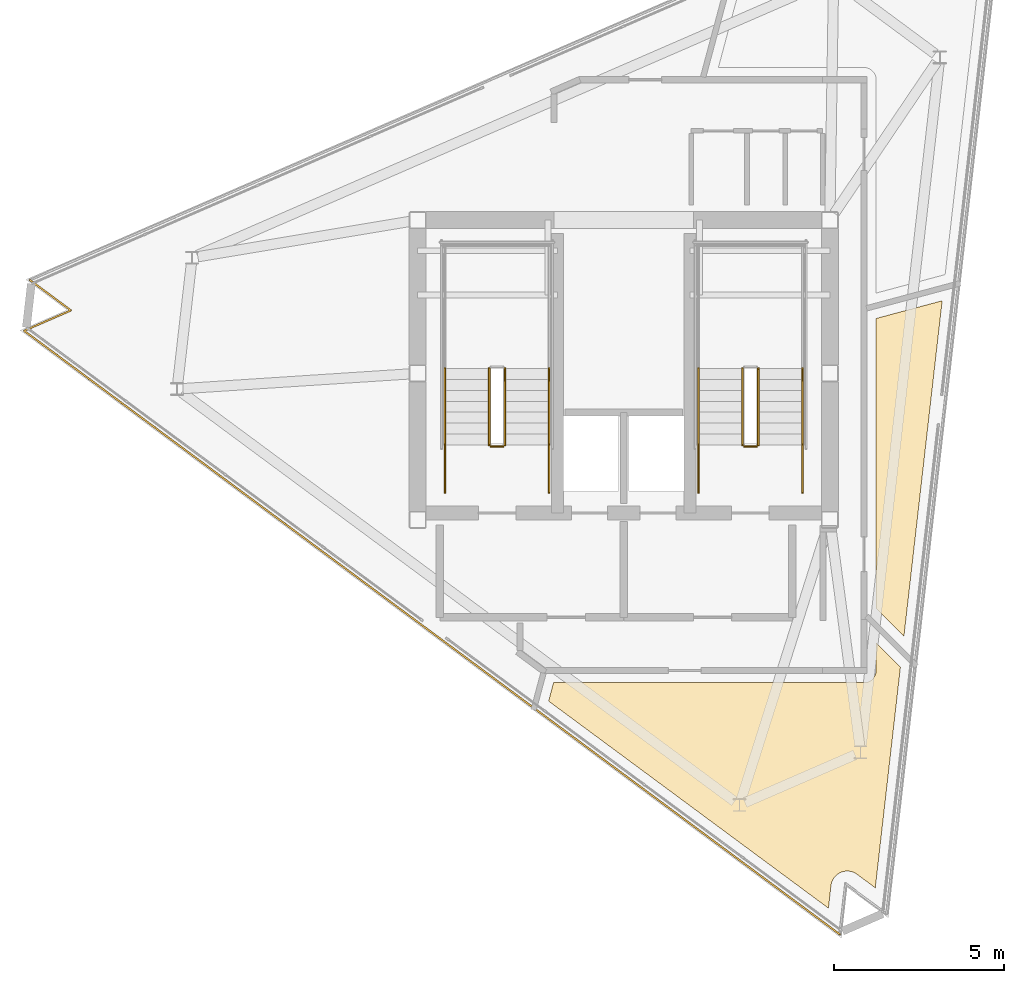
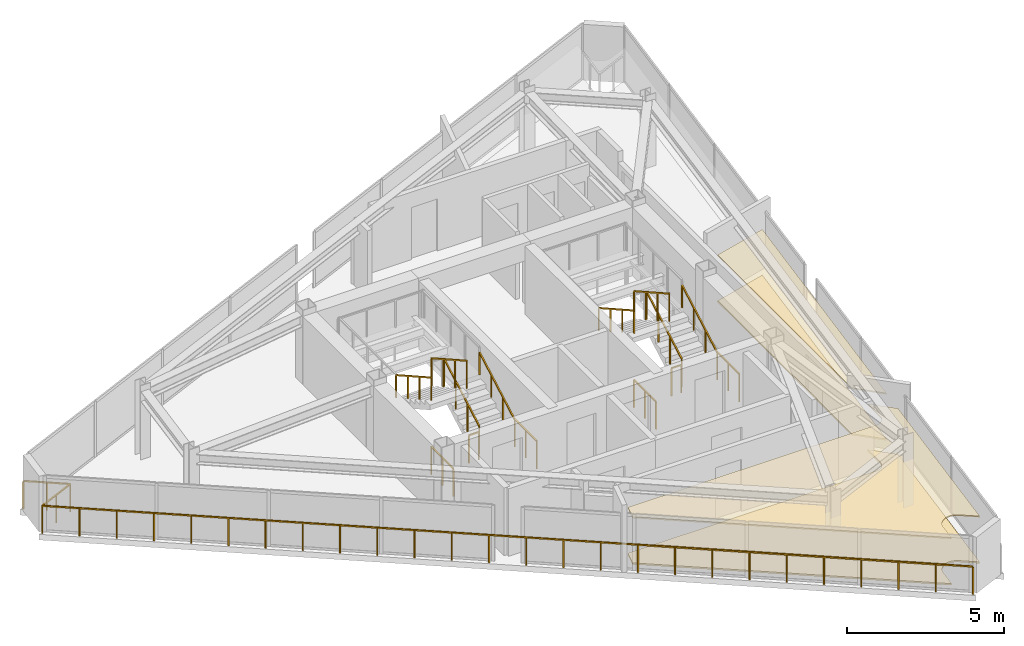
# One storey, part 8 of 9: 15 railings, 4 coverings.
"""IFC4 building model written with IfcOpenShell, lengths in metres."""

from ifc_helpers import new_model, si_unit, direction, frame, origin, origin_2d, place, context, subcontext, project, spatial, polyline, rectangle, outline, extrude, material, layer, layer_set, type_object, element, save


model = new_model("IFC4")

# Units and contexts
model_context = context("Model", 3, precision=1e-05, world=origin(), true_north=direction((0.0, 1.0)))
body_context = subcontext(model_context, "Body", "Model", "MODEL_VIEW")
ifc_project = project(units=[si_unit("LENGTHUNIT", "METRE"), si_unit("AREAUNIT", "SQUARE_METRE"), si_unit("VOLUMEUNIT", "CUBIC_METRE"), si_unit("PLANEANGLEUNIT", "RADIAN"), si_unit("MASSUNIT", "GRAM", prefix="KILO")], contexts=[model_context])

# Site, building, storey
site_placement = place(None, origin())
site = spatial("IfcSite", under=ifc_project, at=site_placement, CompositionType="ELEMENT")
building_placement = place(site_placement, origin())
building = spatial("IfcBuilding", under=site, at=building_placement, Name="Rocaltana Carrier Exchange", CompositionType="ELEMENT")
storey_placement = place(building_placement, frame((0.0, 0.0, 246.239990234375)))
storey = spatial("IfcBuildingStorey", under=building, at=storey_placement, Name="L78", CompositionType="ELEMENT", Elevation=246.239990234375)

# Coverings
ifc_material_1 = material(Name="Calcium Sulphate & Aluminium Pedestal", Category="aluminium")
ifc_layer_1 = layer(ifc_material_1, 0.06005859375)
ifc_layer_set_1 = layer_set([ifc_layer_1], Name="Calcium Sulphate & Aluminium Pedestal")
covering_type_1 = type_object("IfcCoveringType", Name="Anti-Static Raised Exchange Access Floor 60", PredefinedType="FLOORING", material=ifc_layer_set_1)
covering_1_placement = place(storey_placement, origin())
element("IfcCovering", 1, at=covering_1_placement, inside=storey, type_object=covering_type_1, Name="L78 Cloud Architecture Office Finish Floor", PredefinedType="FLOORING", context=body_context, shape_type="SweptSolid", body=[
    extrude(outline(polyline([(7.38427734375, -15.1015625), (6.8466796875, -14.703857421875), (6.835205078125, -14.69580078125), (6.818603515625, -14.684814453125), (6.794677734375, -14.67041015625), (6.777099609375, -14.6611328125), (6.751708984375, -14.6494140625), (6.7333984375, -14.641845703125), (6.70703125, -14.632568359375), (6.68798828125, -14.626953125), (6.660888671875, -14.620361328125), (6.64111328125, -14.61669921875), (6.613525390625, -14.61279296875), (6.59375, -14.61083984375), (6.56591796875, -14.60986328125), (6.5458984375, -14.610107421875), (6.51806640625, -14.61181640625), (6.498291015625, -14.614013671875), (6.470703125, -14.618408203125), (6.451171875, -14.62255859375), (6.42431640625, -14.6298828125), (6.4052734375, -14.635986328125), (6.37890625, -14.645751953125), (6.36083984375, -14.65380859375), (6.335693359375, -14.666015625), (6.318359375, -14.67578125), (6.294677734375, -14.690673828125), (6.2783203125, -14.7021484375), (6.25634765625, -14.71923828125), (6.2412109375, -14.732177734375), (6.220947265625, -14.75146484375), (6.20703125, -14.765869140625), (6.18896484375, -14.786865234375), (6.1767578125, -14.802734375), (6.16064453125, -14.825439453125), (6.14990234375, -14.84228515625), (6.13623046875, -14.86669921875), (6.12744140625, -14.884521484375), (6.1162109375, -14.91015625), (6.109130859375, -14.9287109375), (6.1005859375, -14.955322265625), (6.095458984375, -14.974609375), (6.089599609375, -15.001953125), (6.086181640625, -15.021484375), (6.084228515625, -15.035400390625), (6.008544921875, -15.69970703125), (-2.205322265625, -9.62158203125), (-2.060302734375, -9.080078125), (7.050048828125, -9.080078125), (7.063720703125, -9.07958984375), (7.071533203125, -9.079345703125), (7.098876953125, -9.07666015625), (7.106689453125, -9.075439453125), (7.133544921875, -9.070068359375), (7.141357421875, -9.068115234375), (7.16748046875, -9.060302734375), (7.1748046875, -9.0576171875), (7.2001953125, -9.047119140625), (7.20751953125, -9.043701171875), (7.231689453125, -9.03076171875), (7.23828125, -9.026611328125), (7.26123046875, -9.011474609375), (7.267578125, -9.006591796875), (7.288818359375, -8.9892578125), (7.294677734375, -8.98388671875), (7.31396484375, -8.964599609375), (7.3193359375, -8.958740234375), (7.336669921875, -8.9375), (7.34130859375, -8.93115234375), (7.356689453125, -8.908447265625), (7.360595703125, -8.901611328125), (7.373779296875, -8.87744140625), (7.376953125, -8.870361328125), (7.387451171875, -8.844970703125), (7.39013671875, -8.837646484375), (7.398193359375, -8.811279296875), (7.400146484375, -8.8037109375), (7.405517578125, -8.776611328125), (7.406494140625, -8.768798828125), (7.4091796875, -8.74169921875), (7.40966796875, -8.733642578125), (7.409912109375, -8.719970703125), (7.409912109375, -7.919189453125), (8.12158203125, -8.630615234375), (7.38427734375, -15.1015625)])), origin(), (0.0, 0.0, 1.0), 0.06005859375),
])
covering_2_placement = place(storey_placement, origin())
element("IfcCovering", 2, at=covering_2_placement, inside=storey, type_object=covering_type_1, Name="L78 Optical Switching Laboratory Finish Floor", PredefinedType="FLOORING", context=body_context, shape_type="SweptSolid", body=[
    extrude(outline(polyline([(8.2255859375, -7.716552734375), (7.409912109375, -6.90087890625), (7.409912109375, 1.61279296875), (9.34765625, 2.132080078125), (8.2255859375, -7.716552734375)])), origin(), (0.0, 0.0, 1.0), 0.06005859375),
])
ifc_material_2 = material(Name="Mineral Fibre & Powder-Coated Aluminium", Category="aluminium")
ifc_layer_2 = layer(ifc_material_2, 0.044921875)
ifc_layer_set_2 = layer_set([ifc_layer_2], Name="Mineral Fibre & Powder-Coated Aluminium")
covering_type_2 = type_object("IfcCoveringType", Name="Micro-Perforated Acoustic Ceiling 45", PredefinedType="CEILING", material=ifc_layer_set_2)
covering_3_placement = place(storey_placement, frame((0.0, 0.0, 1.79296875)))
element("IfcCovering", 3, at=covering_3_placement, inside=storey, type_object=covering_type_2, Name="L78 Cloud Architecture Office Acoustic Ceiling", PredefinedType="CEILING", context=body_context, shape_type="SweptSolid", body=[
    extrude(outline(polyline([(7.38427734375, -15.1015625), (6.8466796875, -14.703857421875), (6.835205078125, -14.69580078125), (6.818603515625, -14.684814453125), (6.794677734375, -14.67041015625), (6.777099609375, -14.6611328125), (6.751708984375, -14.6494140625), (6.7333984375, -14.641845703125), (6.70703125, -14.632568359375), (6.68798828125, -14.626953125), (6.660888671875, -14.620361328125), (6.64111328125, -14.61669921875), (6.613525390625, -14.61279296875), (6.59375, -14.61083984375), (6.56591796875, -14.60986328125), (6.5458984375, -14.610107421875), (6.51806640625, -14.61181640625), (6.498291015625, -14.614013671875), (6.470703125, -14.618408203125), (6.451171875, -14.62255859375), (6.42431640625, -14.6298828125), (6.4052734375, -14.635986328125), (6.37890625, -14.645751953125), (6.36083984375, -14.65380859375), (6.335693359375, -14.666015625), (6.318359375, -14.67578125), (6.294677734375, -14.690673828125), (6.2783203125, -14.7021484375), (6.25634765625, -14.71923828125), (6.2412109375, -14.732177734375), (6.220947265625, -14.75146484375), (6.20703125, -14.765869140625), (6.18896484375, -14.786865234375), (6.1767578125, -14.802734375), (6.16064453125, -14.825439453125), (6.14990234375, -14.84228515625), (6.13623046875, -14.86669921875), (6.12744140625, -14.884521484375), (6.1162109375, -14.91015625), (6.109130859375, -14.9287109375), (6.1005859375, -14.955322265625), (6.095458984375, -14.974609375), (6.089599609375, -15.001953125), (6.086181640625, -15.021484375), (6.084228515625, -15.035400390625), (6.008544921875, -15.69970703125), (-2.205322265625, -9.62158203125), (-2.060302734375, -9.080078125), (7.050048828125, -9.080078125), (7.063720703125, -9.07958984375), (7.071533203125, -9.079345703125), (7.098876953125, -9.07666015625), (7.106689453125, -9.075439453125), (7.133544921875, -9.070068359375), (7.141357421875, -9.068115234375), (7.16748046875, -9.060302734375), (7.1748046875, -9.0576171875), (7.2001953125, -9.047119140625), (7.20751953125, -9.043701171875), (7.231689453125, -9.03076171875), (7.23828125, -9.026611328125), (7.26123046875, -9.011474609375), (7.267578125, -9.006591796875), (7.288818359375, -8.9892578125), (7.294677734375, -8.98388671875), (7.31396484375, -8.964599609375), (7.3193359375, -8.958740234375), (7.336669921875, -8.9375), (7.34130859375, -8.93115234375), (7.356689453125, -8.908447265625), (7.360595703125, -8.901611328125), (7.373779296875, -8.87744140625), (7.376953125, -8.870361328125), (7.387451171875, -8.844970703125), (7.39013671875, -8.837646484375), (7.398193359375, -8.811279296875), (7.400146484375, -8.8037109375), (7.405517578125, -8.776611328125), (7.406494140625, -8.768798828125), (7.4091796875, -8.74169921875), (7.40966796875, -8.733642578125), (7.409912109375, -8.719970703125), (7.409912109375, -7.919189453125), (8.12158203125, -8.630615234375), (7.38427734375, -15.1015625)])), origin(), (0.0, 0.0, 1.0), 0.044921875),
])
covering_4_placement = place(storey_placement, frame((0.0, 0.0, 1.79296875)))
element("IfcCovering", 4, at=covering_4_placement, inside=storey, type_object=covering_type_2, Name="L78 Optical Switching Laboratory Acoustic Ceiling", PredefinedType="CEILING", context=body_context, shape_type="SweptSolid", body=[
    extrude(outline(polyline([(8.2255859375, -7.716552734375), (7.409912109375, -6.90087890625), (7.409912109375, 1.61279296875), (9.34765625, 2.132080078125), (8.2255859375, -7.716552734375)])), origin(), (0.0, 0.0, 1.0), 0.044921875),
])

# Railings
ifc_material_3 = material(Name="Brushed Architectural Stainless Tube", Category="steel")
ifc_layer_3 = layer(ifc_material_3, 0.048095703125)
ifc_layer_set_3 = layer_set([ifc_layer_3], Name="Brushed Architectural Stainless Tube")
railing_type_1 = type_object("IfcRailingType", Name="Stair Wall Handrail 920", PredefinedType="HANDRAIL", material=ifc_layer_set_3)
railing_1_placement = place(storey_placement, frame((-2.18994140625, -2.10009765625, 0.179931640625)))
element("IfcRailing", 5, at=railing_1_placement, inside=storey, type_object=railing_type_1, Name="L78 ST-1 stair handrail 1", PredefinedType="HANDRAIL", context=body_context, shape_type="SweptSolid", body=[
    extrude(rectangle(XDim=0.048095703125, YDim=0.048095703125, at=origin_2d()), frame((0.0, 0.0, 0.8759765625), z_axis=(0.0, 0.871573000172, 0.490265749743), x_axis=(-1.0, 0.0, 0.0)), (0.0, 0.0, 1.0), 2.570068359375),
    extrude(rectangle(XDim=0.0419921875, YDim=0.0419921875, at=origin_2d()), origin(), (0.0, 0.0, 1.0), 0.851806640625),
    extrude(rectangle(XDim=0.0419921875, YDim=0.0419921875, at=origin_2d()), frame((0.0, 0.74658203125, 0.419921875)), (0.0, 0.0, 1.0), 0.851806640625),
    extrude(rectangle(XDim=0.0419921875, YDim=0.0419921875, at=origin_2d()), frame((0.0, 1.493408203125, 0.840087890625)), (0.0, 0.0, 1.0), 0.851806640625),
    extrude(rectangle(XDim=0.0419921875, YDim=0.0419921875, at=origin_2d()), frame((0.0, 2.239990234375, 1.260009765625)), (0.0, 0.0, 1.0), 0.851806640625),
])
railing_2_placement = place(storey_placement, frame((-5.25, 0.139892578125, 1.6201171875)))
element("IfcRailing", 6, at=railing_2_placement, inside=storey, type_object=railing_type_1, Name="L78 ST-1 stair handrail 2", PredefinedType="HANDRAIL", context=body_context, shape_type="SweptSolid", body=[
    extrude(rectangle(XDim=0.048095703125, YDim=0.048095703125, at=origin_2d()), frame((0.0, 0.0, 0.8759765625), z_axis=(0.0, -0.871573000172, 0.490265749743), x_axis=(1.0, 0.0, 0.0)), (0.0, 0.0, 1.0), 2.570068359375),
    extrude(rectangle(XDim=0.0419921875, YDim=0.0419921875, at=origin_2d()), origin(), (0.0, 0.0, 1.0), 0.851806640625),
    extrude(rectangle(XDim=0.0419921875, YDim=0.0419921875, at=origin_2d()), frame((0.0, -0.74658203125, 0.419921875)), (0.0, 0.0, 1.0), 0.851806640625),
    extrude(rectangle(XDim=0.0419921875, YDim=0.0419921875, at=origin_2d()), frame((0.0, -1.493408203125, 0.840087890625)), (0.0, 0.0, 1.0), 0.851806640625),
    extrude(rectangle(XDim=0.0419921875, YDim=0.0419921875, at=origin_2d()), frame((0.0, -2.239990234375, 1.260009765625)), (0.0, 0.0, 1.0), 0.851806640625),
])
railing_3_placement = place(storey_placement, frame((5.25, -2.10009765625, 0.179931640625)))
element("IfcRailing", 7, at=railing_3_placement, inside=storey, type_object=railing_type_1, Name="L78 ST-2 stair handrail 1", PredefinedType="HANDRAIL", context=body_context, shape_type="SweptSolid", body=[
    extrude(rectangle(XDim=0.048095703125, YDim=0.048095703125, at=origin_2d()), frame((0.0, 0.0, 0.8759765625), z_axis=(0.0, 0.871573000172, 0.490265749743), x_axis=(-1.0, 0.0, 0.0)), (0.0, 0.0, 1.0), 2.570068359375),
    extrude(rectangle(XDim=0.0419921875, YDim=0.0419921875, at=origin_2d()), origin(), (0.0, 0.0, 1.0), 0.851806640625),
    extrude(rectangle(XDim=0.0419921875, YDim=0.0419921875, at=origin_2d()), frame((0.0, 0.74658203125, 0.419921875)), (0.0, 0.0, 1.0), 0.851806640625),
    extrude(rectangle(XDim=0.0419921875, YDim=0.0419921875, at=origin_2d()), frame((0.0, 1.493408203125, 0.840087890625)), (0.0, 0.0, 1.0), 0.851806640625),
    extrude(rectangle(XDim=0.0419921875, YDim=0.0419921875, at=origin_2d()), frame((0.0, 2.239990234375, 1.260009765625)), (0.0, 0.0, 1.0), 0.851806640625),
])
railing_4_placement = place(storey_placement, frame((2.18994140625, 0.139892578125, 1.6201171875)))
element("IfcRailing", 8, at=railing_4_placement, inside=storey, type_object=railing_type_1, Name="L78 ST-2 stair handrail 2", PredefinedType="HANDRAIL", context=body_context, shape_type="SweptSolid", body=[
    extrude(rectangle(XDim=0.048095703125, YDim=0.048095703125, at=origin_2d()), frame((0.0, 0.0, 0.8759765625), z_axis=(0.0, -0.871573000172, 0.490265749743), x_axis=(1.0, 0.0, 0.0)), (0.0, 0.0, 1.0), 2.570068359375),
    extrude(rectangle(XDim=0.0419921875, YDim=0.0419921875, at=origin_2d()), origin(), (0.0, 0.0, 1.0), 0.851806640625),
    extrude(rectangle(XDim=0.0419921875, YDim=0.0419921875, at=origin_2d()), frame((0.0, -0.74658203125, 0.419921875)), (0.0, 0.0, 1.0), 0.851806640625),
    extrude(rectangle(XDim=0.0419921875, YDim=0.0419921875, at=origin_2d()), frame((0.0, -1.493408203125, 0.840087890625)), (0.0, 0.0, 1.0), 0.851806640625),
    extrude(rectangle(XDim=0.0419921875, YDim=0.0419921875, at=origin_2d()), frame((0.0, -2.239990234375, 1.260009765625)), (0.0, 0.0, 1.0), 0.851806640625),
])
ifc_material_4 = material(Name="Powder-Coated Aluminium 6063-T6", Category="aluminium")
ifc_layer_4 = layer(ifc_material_4, 0.048095703125)
ifc_layer_set_4 = layer_set([ifc_layer_4], Name="Powder-Coated Aluminium 6063-T6")
railing_type_2 = type_object("IfcRailingType", Name="Stair Well Guardrail 1100", PredefinedType="GUARDRAIL", material=ifc_layer_set_4)
railing_5_placement = place(storey_placement, frame((-3.489990234375, -2.10009765625, 0.179931640625)))
element("IfcRailing", 9, at=railing_5_placement, inside=storey, type_object=railing_type_2, Name="L78 ST-1 stair guard 1", PredefinedType="GUARDRAIL", context=body_context, shape_type="SweptSolid", body=[
    extrude(rectangle(XDim=0.048095703125, YDim=0.048095703125, at=origin_2d()), frame((0.0, 0.0, 1.076171875), z_axis=(0.0, 0.871573000172, 0.490265749743), x_axis=(-1.0, 0.0, 0.0)), (0.0, 0.0, 1.0), 2.570068359375),
    extrude(rectangle(XDim=0.0419921875, YDim=0.0419921875, at=origin_2d()), origin(), (0.0, 0.0, 1.0), 1.052001953125),
    extrude(rectangle(XDim=0.0419921875, YDim=0.0419921875, at=origin_2d()), frame((0.0, 0.74658203125, 0.419921875)), (0.0, 0.0, 1.0), 1.052001953125),
    extrude(rectangle(XDim=0.0419921875, YDim=0.0419921875, at=origin_2d()), frame((0.0, 1.493408203125, 0.840087890625)), (0.0, 0.0, 1.0), 1.052001953125),
    extrude(rectangle(XDim=0.0419921875, YDim=0.0419921875, at=origin_2d()), frame((0.0, 2.239990234375, 1.260009765625)), (0.0, 0.0, 1.0), 1.052001953125),
])
railing_6_placement = place(storey_placement, frame((-3.949951171875, 0.139892578125, 1.6201171875)))
element("IfcRailing", 10, at=railing_6_placement, inside=storey, type_object=railing_type_2, Name="L78 ST-1 stair guard 6", PredefinedType="GUARDRAIL", context=body_context, shape_type="SweptSolid", body=[
    extrude(rectangle(XDim=0.048095703125, YDim=0.048095703125, at=origin_2d()), frame((0.0, 0.0, 1.076171875), z_axis=(0.0, -0.871573000172, 0.490265749743), x_axis=(1.0, 0.0, 0.0)), (0.0, 0.0, 1.0), 2.570068359375),
    extrude(rectangle(XDim=0.0419921875, YDim=0.0419921875, at=origin_2d()), origin(), (0.0, 0.0, 1.0), 1.052001953125),
    extrude(rectangle(XDim=0.0419921875, YDim=0.0419921875, at=origin_2d()), frame((0.0, -0.74658203125, 0.419921875)), (0.0, 0.0, 1.0), 1.052001953125),
    extrude(rectangle(XDim=0.0419921875, YDim=0.0419921875, at=origin_2d()), frame((0.0, -1.493408203125, 0.840087890625)), (0.0, 0.0, 1.0), 1.052001953125),
    extrude(rectangle(XDim=0.0419921875, YDim=0.0419921875, at=origin_2d()), frame((0.0, -2.239990234375, 1.260009765625)), (0.0, 0.0, 1.0), 1.052001953125),
])
railing_7_placement = place(storey_placement, frame((-3.5400390625, -2.14990234375, 0.0)))
element("IfcRailing", 11, at=railing_7_placement, inside=storey, type_object=railing_type_2, Name="L78 ST-1 stair guard 7", PredefinedType="GUARDRAIL", context=body_context, shape_type="SweptSolid", body=[
    extrude(rectangle(XDim=0.048095703125, YDim=0.048095703125, at=origin_2d()), frame((0.0, 0.0, 1.076171875), z_axis=(-1.0, 0.0, 0.0), x_axis=(0.0, -1.0, 0.0)), (0.0, 0.0, 1.0), 0.35986328125),
    extrude(rectangle(XDim=0.0419921875, YDim=0.0419921875, at=origin_2d()), origin(), (0.0, 0.0, 1.0), 1.052001953125),
    extrude(rectangle(XDim=0.0419921875, YDim=0.0419921875, at=origin_2d()), frame((-0.35986328125, 0.0, 0.0)), (0.0, 0.0, 1.0), 1.052001953125),
])
for number, where, name in (
    (12, (-2.18994140625, -3.5, 0.0), "L78 ST-1 stair guard 8"),
    (13, (-5.25, -3.5, 0.0), "L78 ST-1 stair guard 9"),
):
    element("IfcRailing", number, at=place(storey_placement, frame(where)), inside=storey, type_object=railing_type_2, Name=name, PredefinedType="GUARDRAIL", context=body_context, shape_type="SweptSolid", body=[
        extrude(rectangle(XDim=0.048095703125, YDim=0.048095703125, at=origin_2d()), frame((0.0, 0.0, 1.076171875), z_axis=(0.0, 1.0, 0.0), x_axis=(-1.0, 0.0, 0.0)), (0.0, 0.0, 1.0), 1.39990234375),
        extrude(rectangle(XDim=0.0419921875, YDim=0.0419921875, at=origin_2d()), origin(), (0.0, 0.0, 1.0), 1.052001953125),
        extrude(rectangle(XDim=0.0419921875, YDim=0.0419921875, at=origin_2d()), frame((0.0, 0.699951171875, 0.0)), (0.0, 0.0, 1.0), 1.052001953125),
        extrude(rectangle(XDim=0.0419921875, YDim=0.0419921875, at=origin_2d()), frame((0.0, 1.39990234375, 0.0)), (0.0, 0.0, 1.0), 1.052001953125),
    ])
railing_8_placement = place(storey_placement, frame((3.949951171875, -2.10009765625, 0.179931640625)))
element("IfcRailing", 14, at=railing_8_placement, inside=storey, type_object=railing_type_2, Name="L78 ST-2 stair guard 1", PredefinedType="GUARDRAIL", context=body_context, shape_type="SweptSolid", body=[
    extrude(rectangle(XDim=0.048095703125, YDim=0.048095703125, at=origin_2d()), frame((0.0, 0.0, 1.076171875), z_axis=(0.0, 0.871573000172, 0.490265749743), x_axis=(-1.0, 0.0, 0.0)), (0.0, 0.0, 1.0), 2.570068359375),
    extrude(rectangle(XDim=0.0419921875, YDim=0.0419921875, at=origin_2d()), origin(), (0.0, 0.0, 1.0), 1.052001953125),
    extrude(rectangle(XDim=0.0419921875, YDim=0.0419921875, at=origin_2d()), frame((0.0, 0.74658203125, 0.419921875)), (0.0, 0.0, 1.0), 1.052001953125),
    extrude(rectangle(XDim=0.0419921875, YDim=0.0419921875, at=origin_2d()), frame((0.0, 1.493408203125, 0.840087890625)), (0.0, 0.0, 1.0), 1.052001953125),
    extrude(rectangle(XDim=0.0419921875, YDim=0.0419921875, at=origin_2d()), frame((0.0, 2.239990234375, 1.260009765625)), (0.0, 0.0, 1.0), 1.052001953125),
])
railing_9_placement = place(storey_placement, frame((3.489990234375, 0.139892578125, 1.6201171875)))
element("IfcRailing", 15, at=railing_9_placement, inside=storey, type_object=railing_type_2, Name="L78 ST-2 stair guard 6", PredefinedType="GUARDRAIL", context=body_context, shape_type="SweptSolid", body=[
    extrude(rectangle(XDim=0.048095703125, YDim=0.048095703125, at=origin_2d()), frame((0.0, 0.0, 1.076171875), z_axis=(0.0, -0.871573000172, 0.490265749743), x_axis=(1.0, 0.0, 0.0)), (0.0, 0.0, 1.0), 2.570068359375),
    extrude(rectangle(XDim=0.0419921875, YDim=0.0419921875, at=origin_2d()), origin(), (0.0, 0.0, 1.0), 1.052001953125),
    extrude(rectangle(XDim=0.0419921875, YDim=0.0419921875, at=origin_2d()), frame((0.0, -0.74658203125, 0.419921875)), (0.0, 0.0, 1.0), 1.052001953125),
    extrude(rectangle(XDim=0.0419921875, YDim=0.0419921875, at=origin_2d()), frame((0.0, -1.493408203125, 0.840087890625)), (0.0, 0.0, 1.0), 1.052001953125),
    extrude(rectangle(XDim=0.0419921875, YDim=0.0419921875, at=origin_2d()), frame((0.0, -2.239990234375, 1.260009765625)), (0.0, 0.0, 1.0), 1.052001953125),
])
railing_10_placement = place(storey_placement, frame((3.89990234375, -2.14990234375, 0.0)))
element("IfcRailing", 16, at=railing_10_placement, inside=storey, type_object=railing_type_2, Name="L78 ST-2 stair guard 7", PredefinedType="GUARDRAIL", context=body_context, shape_type="SweptSolid", body=[
    extrude(rectangle(XDim=0.048095703125, YDim=0.048095703125, at=origin_2d()), frame((0.0, 0.0, 1.076171875), z_axis=(-1.0, 0.0, 0.0), x_axis=(0.0, -1.0, 0.0)), (0.0, 0.0, 1.0), 0.35986328125),
    extrude(rectangle(XDim=0.0419921875, YDim=0.0419921875, at=origin_2d()), origin(), (0.0, 0.0, 1.0), 1.052001953125),
    extrude(rectangle(XDim=0.0419921875, YDim=0.0419921875, at=origin_2d()), frame((-0.35986328125, 0.0, 0.0)), (0.0, 0.0, 1.0), 1.052001953125),
])
for number, where, name in (
    (17, (5.25, -3.5, 0.0), "L78 ST-2 stair guard 8"),
    (18, (2.18994140625, -3.5, 0.0), "L78 ST-2 stair guard 9"),
):
    element("IfcRailing", number, at=place(storey_placement, frame(where)), inside=storey, type_object=railing_type_2, Name=name, PredefinedType="GUARDRAIL", context=body_context, shape_type="SweptSolid", body=[
        extrude(rectangle(XDim=0.048095703125, YDim=0.048095703125, at=origin_2d()), frame((0.0, 0.0, 1.076171875), z_axis=(0.0, 1.0, 0.0), x_axis=(-1.0, 0.0, 0.0)), (0.0, 0.0, 1.0), 1.39990234375),
        extrude(rectangle(XDim=0.0419921875, YDim=0.0419921875, at=origin_2d()), origin(), (0.0, 0.0, 1.0), 1.052001953125),
        extrude(rectangle(XDim=0.0419921875, YDim=0.0419921875, at=origin_2d()), frame((0.0, 0.699951171875, 0.0)), (0.0, 0.0, 1.0), 1.052001953125),
        extrude(rectangle(XDim=0.0419921875, YDim=0.0419921875, at=origin_2d()), frame((0.0, 1.39990234375, 0.0)), (0.0, 0.0, 1.0), 1.052001953125),
    ])
ifc_material_5 = material(Name="Powder-Coated Aluminium 6063-T6", Category="aluminium")
ifc_layer_5 = layer(ifc_material_5, 0.06005859375)
ifc_layer_set_5 = layer_set([ifc_layer_5], Name="Powder-Coated Aluminium 6063-T6")
railing_type_3 = type_object("IfcRailingType", Name="Wind-Floor & Terrace Perimeter Guardrail 1100", PredefinedType="GUARDRAIL", material=ifc_layer_set_5)
railing_11_placement = place(storey_placement, frame((6.343505859375, -16.47021484375, 0.0)))
element("IfcRailing", 19, at=railing_11_placement, inside=storey, type_object=railing_type_3, Name="L78 Perimeter Balcony Guardrail 1", PredefinedType="GUARDRAIL", context=body_context, shape_type="SweptSolid", body=[
    extrude(rectangle(XDim=0.048095703125, YDim=0.048095703125, at=origin_2d()), frame((0.0, 0.0, 1.076171875), z_axis=(-0.803852949024, 0.59482807293, 0.0), x_axis=(-0.59482807293, -0.803852949024, 0.0)), (0.0, 0.0, 1.0), 29.792236328125),
    extrude(rectangle(XDim=0.048095703125, YDim=0.048095703125, at=origin_2d()), frame((-23.948486328125, 17.72119140625, 1.076171875), z_axis=(0.917044176795, 0.398785628887, 0.0), x_axis=(-0.398785628887, 0.917044176795, 0.0)), (0.0, 0.0, 1.0), 1.5),
    extrude(rectangle(XDim=0.048095703125, YDim=0.048095703125, at=origin_2d()), frame((-22.572998046875, 18.3193359375, 1.076171875), z_axis=(-0.803908826949, 0.594752551867, 0.0), x_axis=(-0.594752551867, -0.803908826949, 0.0)), (0.0, 0.0, 1.0), 1.5),
    extrude(rectangle(XDim=0.0419921875, YDim=0.0419921875, at=origin_2d()), origin(), (0.0, 0.0, 1.0), 1.052001953125),
    extrude(rectangle(XDim=0.0419921875, YDim=0.0419921875, at=origin_2d()), frame((-0.9580078125, 0.708740234375, 0.0)), (0.0, 0.0, 1.0), 1.052001953125),
    extrude(rectangle(XDim=0.0419921875, YDim=0.0419921875, at=origin_2d()), frame((-1.915771484375, 1.417724609375, 0.0)), (0.0, 0.0, 1.0), 1.052001953125),
    extrude(rectangle(XDim=0.0419921875, YDim=0.0419921875, at=origin_2d()), frame((-2.873779296875, 2.12646484375, 0.0)), (0.0, 0.0, 1.0), 1.052001953125),
    extrude(rectangle(XDim=0.0419921875, YDim=0.0419921875, at=origin_2d()), frame((-3.831787109375, 2.83544921875, 0.0)), (0.0, 0.0, 1.0), 1.052001953125),
    extrude(rectangle(XDim=0.0419921875, YDim=0.0419921875, at=origin_2d()), frame((-4.789794921875, 3.544189453125, 0.0)), (0.0, 0.0, 1.0), 1.052001953125),
    extrude(rectangle(XDim=0.0419921875, YDim=0.0419921875, at=origin_2d()), frame((-5.74755859375, 4.253173828125, 0.0)), (0.0, 0.0, 1.0), 1.052001953125),
    extrude(rectangle(XDim=0.0419921875, YDim=0.0419921875, at=origin_2d()), frame((-6.70556640625, 4.9619140625, 0.0)), (0.0, 0.0, 1.0), 1.052001953125),
    extrude(rectangle(XDim=0.0419921875, YDim=0.0419921875, at=origin_2d()), frame((-7.66357421875, 5.6708984375, 0.0)), (0.0, 0.0, 1.0), 1.052001953125),
    extrude(rectangle(XDim=0.0419921875, YDim=0.0419921875, at=origin_2d()), frame((-8.621337890625, 6.379638671875, 0.0)), (0.0, 0.0, 1.0), 1.052001953125),
    extrude(rectangle(XDim=0.0419921875, YDim=0.0419921875, at=origin_2d()), frame((-9.579345703125, 7.08837890625, 0.0)), (0.0, 0.0, 1.0), 1.052001953125),
    extrude(rectangle(XDim=0.0419921875, YDim=0.0419921875, at=origin_2d()), frame((-10.537353515625, 7.79736328125, 0.0)), (0.0, 0.0, 1.0), 1.052001953125),
    extrude(rectangle(XDim=0.0419921875, YDim=0.0419921875, at=origin_2d()), frame((-11.495361328125, 8.506103515625, 0.0)), (0.0, 0.0, 1.0), 1.052001953125),
    extrude(rectangle(XDim=0.0419921875, YDim=0.0419921875, at=origin_2d()), frame((-12.453125, 9.215087890625, 0.0)), (0.0, 0.0, 1.0), 1.052001953125),
    extrude(rectangle(XDim=0.0419921875, YDim=0.0419921875, at=origin_2d()), frame((-13.4111328125, 9.923828125, 0.0)), (0.0, 0.0, 1.0), 1.052001953125),
    extrude(rectangle(XDim=0.0419921875, YDim=0.0419921875, at=origin_2d()), frame((-14.369140625, 10.6328125, 0.0)), (0.0, 0.0, 1.0), 1.052001953125),
    extrude(rectangle(XDim=0.0419921875, YDim=0.0419921875, at=origin_2d()), frame((-15.3271484375, 11.341552734375, 0.0)), (0.0, 0.0, 1.0), 1.052001953125),
    extrude(rectangle(XDim=0.0419921875, YDim=0.0419921875, at=origin_2d()), frame((-16.284912109375, 12.05029296875, 0.0)), (0.0, 0.0, 1.0), 1.052001953125),
    extrude(rectangle(XDim=0.0419921875, YDim=0.0419921875, at=origin_2d()), frame((-17.242919921875, 12.75927734375, 0.0)), (0.0, 0.0, 1.0), 1.052001953125),
    extrude(rectangle(XDim=0.0419921875, YDim=0.0419921875, at=origin_2d()), frame((-18.200927734375, 13.468017578125, 0.0)), (0.0, 0.0, 1.0), 1.052001953125),
    extrude(rectangle(XDim=0.0419921875, YDim=0.0419921875, at=origin_2d()), frame((-19.15869140625, 14.177001953125, 0.0)), (0.0, 0.0, 1.0), 1.052001953125),
    extrude(rectangle(XDim=0.0419921875, YDim=0.0419921875, at=origin_2d()), frame((-20.11669921875, 14.8857421875, 0.0)), (0.0, 0.0, 1.0), 1.052001953125),
    extrude(rectangle(XDim=0.0419921875, YDim=0.0419921875, at=origin_2d()), frame((-21.07470703125, 15.5947265625, 0.0)), (0.0, 0.0, 1.0), 1.052001953125),
    extrude(rectangle(XDim=0.0419921875, YDim=0.0419921875, at=origin_2d()), frame((-22.03271484375, 16.303466796875, 0.0)), (0.0, 0.0, 1.0), 1.052001953125),
    extrude(rectangle(XDim=0.0419921875, YDim=0.0419921875, at=origin_2d()), frame((-22.990478515625, 17.012451171875, 0.0)), (0.0, 0.0, 1.0), 1.052001953125),
    extrude(rectangle(XDim=0.0419921875, YDim=0.0419921875, at=origin_2d()), frame((-23.948486328125, 17.72119140625, 0.0)), (0.0, 0.0, 1.0), 1.052001953125),
    extrude(rectangle(XDim=0.0419921875, YDim=0.0419921875, at=origin_2d()), frame((-23.2607421875, 18.020263671875, 0.0)), (0.0, 0.0, 1.0), 1.052001953125),
    extrude(rectangle(XDim=0.0419921875, YDim=0.0419921875, at=origin_2d()), frame((-22.572998046875, 18.3193359375, 0.0)), (0.0, 0.0, 1.0), 1.052001953125),
    extrude(rectangle(XDim=0.0419921875, YDim=0.0419921875, at=origin_2d()), frame((-23.17578125, 18.765380859375, 0.0)), (0.0, 0.0, 1.0), 1.052001953125),
    extrude(rectangle(XDim=0.0419921875, YDim=0.0419921875, at=origin_2d()), frame((-23.77880859375, 19.21142578125, 0.0)), (0.0, 0.0, 1.0), 1.052001953125),
])

save(model, "model.ifc")
